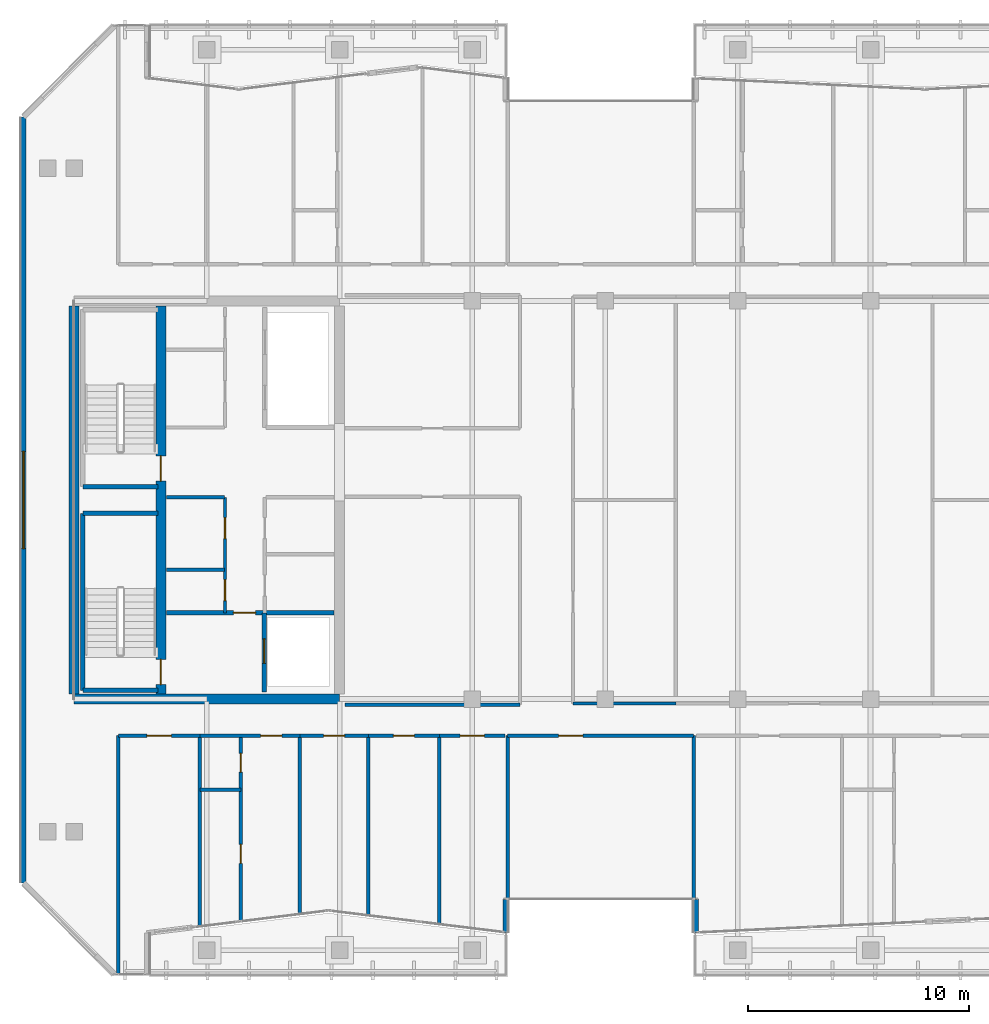
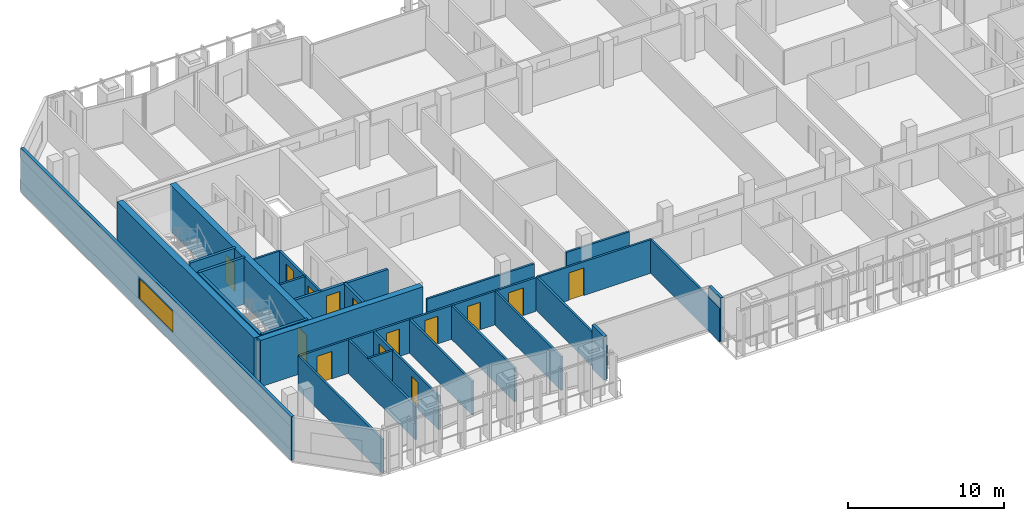
# One storey, part 20 of 31: 32 walls, 14 doors, 1 window, 15 openings.
"""IFC4 building model written with IfcOpenShell, lengths in metres."""

from ifc_helpers import new_model, si_unit, direction, frame, frame_2d, origin, place, context, subcontext, project, spatial, rectangle, extrude, material, layer, layer_set, type_object, element, fill, save


model = new_model("IFC4")

# Units and contexts
model_context = context("Model", 3, precision=1e-05, world=origin(), true_north=direction((0.0, 1.0)))
body_context = subcontext(model_context, "Body", "Model", "MODEL_VIEW")
ifc_project = project(units=[si_unit("LENGTHUNIT", "METRE"), si_unit("AREAUNIT", "SQUARE_METRE"), si_unit("VOLUMEUNIT", "CUBIC_METRE"), si_unit("PLANEANGLEUNIT", "RADIAN"), si_unit("MASSUNIT", "GRAM", prefix="KILO")], contexts=[model_context])

# Site, building, storey
site_placement = place(None, origin())
site = spatial("IfcSite", under=ifc_project, at=site_placement, CompositionType="ELEMENT")
building_placement = place(site_placement, origin())
building = spatial("IfcBuilding", under=site, at=building_placement, Name="Tanjung Sevakor Pilgrim Tower", CompositionType="ELEMENT")
storey_placement = place(building_placement, frame((0.0, 0.0, 208.22998046875)))
storey = spatial("IfcBuildingStorey", under=building, at=storey_placement, Name="L58", CompositionType="ELEMENT", Elevation=208.22998046875)

# Walls
ifc_material_1 = material(Name="Concrete C60/75", Category="concrete")
ifc_layer_1 = layer(ifc_material_1, 0.449951171875)
ifc_layer_set_1 = layer_set([ifc_layer_1], Name="WALL-CW-450")
wall_type_1 = type_object("IfcWallType", Name="WALL-CW-450", PredefinedType="SHEAR", material=ifc_layer_set_1)
wall_1_placement = place(storey_placement, frame((24.0, 24.60009765625, 0.0), z_axis=(0.0, 0.0, 1.0), x_axis=(1.0, 0.0, 0.0)))
element("IfcWall", 1, at=wall_1_placement, inside=storey, type_object=wall_type_1, Name="L58 W Core South Shear Wall", PredefinedType="SHEAR", context=body_context, shape_type="SweptSolid", body=[
    extrude(rectangle(XDim=12.0, YDim=0.449951171875, at=frame_2d((6.0, 0.0))), origin(), (0.0, 0.0, 1.0), 3.630126953125),
])
wall_2_placement = place(storey_placement, frame((24.0, 24.824951171875, 0.0), z_axis=(0.0, 0.0, 1.0), x_axis=(0.0, 1.0, 0.0)))
element("IfcWall", 2, at=wall_2_placement, inside=storey, type_object=wall_type_1, Name="L58 W Core Outer Shear Wall", PredefinedType="SHEAR", context=body_context, shape_type="SweptSolid", body=[
    extrude(rectangle(XDim=17.550048828125, YDim=0.449951171875, at=frame_2d((8.77490234375, 0.0))), origin(), (0.0, 0.0, 1.0), 3.630126953125),
])

# Wall, openings, doors
wall_3_placement = place(storey_placement, frame((27.925048828125, 24.824951171875, 0.0), z_axis=(0.0, 0.0, 1.0), x_axis=(0.0, 1.0, 0.0)))
wall_3 = element("IfcWall", 3, at=wall_3_placement, inside=storey, type_object=wall_type_1, Name="L58 W Core Stair Spine Wall", PredefinedType="SHEAR", context=body_context, shape_type="SweptSolid", body=[
    extrude(rectangle(XDim=17.550048828125, YDim=0.449951171875, at=frame_2d((8.77490234375, 0.0))), origin(), (0.0, 0.0, 1.0), 3.630126953125),
])
opening_1_placement = place(wall_3_placement, frame((0.425048828125, 0.0, 0.0)))
opening_1 = element("IfcOpeningElement", 4, at=opening_1_placement, cuts=wall_3, Name="Opening ID-ST1", PredefinedType="OPENING", context=body_context, shape_type="SweptSolid", body=[
    extrude(rectangle(XDim=1.14990234375, YDim=2.14990234375, at=frame_2d((0.574951171875, 1.074951171875))), frame((0.0, 0.23486328125, 0.0), z_axis=(0.0, -1.0, 0.0), x_axis=(1.0, 0.0, 0.0)), (0.0, 0.0, 1.0), 0.469970703125),
])
opening_2_placement = place(wall_3_placement, frame((9.625, 0.0, 0.0)))
opening_2 = element("IfcOpeningElement", 5, at=opening_2_placement, cuts=wall_3, Name="Opening ID-ST1", PredefinedType="OPENING", context=body_context, shape_type="SweptSolid", body=[
    extrude(rectangle(XDim=1.14990234375, YDim=2.14990234375, at=frame_2d((0.574951171875, 1.074951171875))), frame((0.0, 0.23486328125, 0.0), z_axis=(0.0, -1.0, 0.0), x_axis=(1.0, 0.0, 0.0)), (0.0, 0.0, 1.0), 0.469970703125),
])
ifc_material_2 = material(Name="Fire-Rated Steel S355J2", Category="steel")
door_type_1 = type_object("IfcDoorType", Name="DT-FIRE-1150", OperationType="NOTDEFINED", PredefinedType="DOOR", material=ifc_material_2)
door_1_placement = place(opening_1_placement, origin())
door_1 = element("IfcDoor", 6, at=door_1_placement, inside=storey, type_object=door_type_1, Name="L58 TS-W1 Stair Fire Door", OperationType="SINGLE_SWING_LEFT", OverallHeight=2.14990234375, OverallWidth=1.14990234375, PredefinedType="DOOR", context=body_context, shape_type="SweptSolid", body=[
    extrude(rectangle(XDim=1.14990234375, YDim=2.14990234375, at=frame_2d((0.574951171875, 1.074951171875))), frame((0.0, 0.02490234375, 0.0), z_axis=(0.0, -1.0, 0.0), x_axis=(1.0, 0.0, 0.0)), (0.0, 0.0, 1.0), 0.050048828125),
])
fill(opening_1, door_1)
door_2_placement = place(opening_2_placement, origin())
door_2 = element("IfcDoor", 7, at=door_2_placement, inside=storey, type_object=door_type_1, Name="L58 TS-W2 Stair Fire Door", OperationType="SINGLE_SWING_RIGHT", OverallHeight=2.14990234375, OverallWidth=1.14990234375, PredefinedType="DOOR", context=body_context, shape_type="SweptSolid", body=[
    extrude(rectangle(XDim=1.14990234375, YDim=2.14990234375, at=frame_2d((0.574951171875, 1.074951171875))), frame((0.0, 0.02490234375, 0.0), z_axis=(0.0, -1.0, 0.0), x_axis=(1.0, 0.0, 0.0)), (0.0, 0.0, 1.0), 0.050048828125),
])
fill(opening_2, door_2)

# Walls
ifc_material_3 = material(Name="Concrete C40/50", Category="concrete")
ifc_layer_2 = layer(ifc_material_3, 0.14990234375)
ifc_layer_set_2 = layer_set([ifc_layer_2], Name="WT-COMP-150")
wall_type_2 = type_object("IfcWallType", Name="WT-COMP-150", PredefinedType="SOLIDWALL", material=ifc_layer_set_2)
for number, where, z_axis, x_axis, name in (
    (8, (28.169921875, 30.449951171875, 0.0), (0.0, 0.0, 1.0), (1.0, 0.0, 0.0), "L58 Partition IW-L58-003"),
    (9, (28.169921875, 33.719970703125, 0.0), (0.0, 0.0, 1.0), (1.0, 0.0, 0.0), "L58 Partition IW-L58-004"),
):
    element("IfcWall", number, at=place(storey_placement, frame(where, z_axis=z_axis, x_axis=x_axis)), inside=storey, type_object=wall_type_2, Name=name, PredefinedType="SOLIDWALL", context=body_context, shape_type="SweptSolid", body=[
        extrude(rectangle(XDim=2.630126953125, YDim=0.14990234375, at=frame_2d((1.31494140625, 0.0))), origin(), (0.0, 0.0, 1.0), 2.6298828125),
    ])

# Wall, openings, doors
wall_4_placement = place(storey_placement, frame((30.820068359375, 28.5, 0.0), z_axis=(0.0, 0.0, 1.0), x_axis=(0.0, 1.0, 0.0)))
wall_4 = element("IfcWall", 10, at=wall_4_placement, inside=storey, type_object=wall_type_2, Name="L58 Partition IW-L58-005", PredefinedType="SOLIDWALL", context=body_context, shape_type="SweptSolid", body=[
    extrude(rectangle(XDim=5.219970703125, YDim=0.14990234375, at=frame_2d((2.60986328125, 0.0))), origin(), (0.0, 0.0, 1.0), 2.6298828125),
])
opening_3_placement = place(wall_4_placement, frame((0.550048828125, 0.0, 0.0)))
opening_3 = element("IfcOpeningElement", 11, at=opening_3_placement, cuts=wall_4, Name="Opening ID-FD2", PredefinedType="OPENING", context=body_context, shape_type="SweptSolid", body=[
    extrude(rectangle(XDim=0.949951171875, YDim=2.14990234375, at=frame_2d((0.47509765625, 1.074951171875))), frame((0.0, 0.0849609375, 0.0), z_axis=(0.0, -1.0, 0.0), x_axis=(1.0, 0.0, 0.0)), (0.0, 0.0, 1.0), 0.169921875),
])
opening_4_placement = place(wall_4_placement, frame((3.35009765625, 0.0, 0.0)))
opening_4 = element("IfcOpeningElement", 12, at=opening_4_placement, cuts=wall_4, Name="Opening ID-FD2", PredefinedType="OPENING", context=body_context, shape_type="SweptSolid", body=[
    extrude(rectangle(XDim=0.949951171875, YDim=2.14990234375, at=frame_2d((0.47509765625, 1.074951171875))), frame((0.0, 0.0849609375, 0.0), z_axis=(0.0, -1.0, 0.0), x_axis=(1.0, 0.0, 0.0)), (0.0, 0.0, 1.0), 0.169921875),
])
ifc_material_4 = material(Name="Fire-Rated Timber", Category="wood")
door_type_2 = type_object("IfcDoorType", Name="DT-FIRE-950", OperationType="NOTDEFINED", PredefinedType="DOOR", material=ifc_material_4)
door_3_placement = place(opening_3_placement, origin())
door_3 = element("IfcDoor", 13, at=door_3_placement, inside=storey, type_object=door_type_2, Name="L58 Cleaner Store Door", OperationType="SINGLE_SWING_RIGHT", OverallHeight=2.14990234375, OverallWidth=0.949951171875, PredefinedType="DOOR", context=body_context, shape_type="SweptSolid", body=[
    extrude(rectangle(XDim=0.949951171875, YDim=2.14990234375, at=frame_2d((0.47509765625, 1.074951171875))), frame((0.0, 0.02490234375, 0.0), z_axis=(0.0, -1.0, 0.0), x_axis=(1.0, 0.0, 0.0)), (0.0, 0.0, 1.0), 0.050048828125),
])
fill(opening_3, door_3)
door_4_placement = place(opening_4_placement, origin())
door_4 = element("IfcDoor", 14, at=door_4_placement, inside=storey, type_object=door_type_2, Name="L58 Housekeeping Pantry Door", OperationType="SINGLE_SWING_LEFT", OverallHeight=2.14990234375, OverallWidth=0.949951171875, PredefinedType="DOOR", context=body_context, shape_type="SweptSolid", body=[
    extrude(rectangle(XDim=0.949951171875, YDim=2.14990234375, at=frame_2d((0.47509765625, 1.074951171875))), frame((0.0, 0.02490234375, 0.0), z_axis=(0.0, -1.0, 0.0), x_axis=(1.0, 0.0, 0.0)), (0.0, 0.0, 1.0), 0.050048828125),
])
fill(opening_4, door_4)

# Walls
wall_5_placement = place(storey_placement, frame((36.2451171875, 24.35009765625, 0.0), z_axis=(0.0, 0.0, 1.0), x_axis=(1.0, 0.0, 0.0)))
element("IfcWall", 15, at=wall_5_placement, inside=storey, type_object=wall_type_2, Name="L58 Partition IW-L58-027", PredefinedType="SOLIDWALL", context=body_context, shape_type="SweptSolid", body=[
    extrude(rectangle(XDim=7.90478515625, YDim=0.14990234375, at=frame_2d((3.952392578125, 0.0))), origin(), (0.0, 0.0, 1.0), 2.6298828125),
])
wall_6_placement = place(storey_placement, frame((46.550048828125, 24.39990234375, 0.0), z_axis=(0.0, 0.0, 1.0), x_axis=(1.0, 0.0, 0.0)))
element("IfcWall", 16, at=wall_6_placement, inside=storey, type_object=wall_type_2, Name="L58 Partition IW-L58-039", PredefinedType="SOLIDWALL", context=body_context, shape_type="SweptSolid", body=[
    extrude(rectangle(XDim=4.64990234375, YDim=0.14990234375, at=frame_2d((2.324951171875, 0.0))), origin(), (0.0, 0.0, 1.0), 2.6298828125),
])

# Wall, opening, door
wall_7_placement = place(storey_placement, frame((43.60009765625, 22.949951171875, 0.0), z_axis=(0.0, 0.0, 1.0), x_axis=(1.0, 0.0, 0.0)))
wall_7 = element("IfcWall", 17, at=wall_7_placement, inside=storey, type_object=wall_type_2, Name="L58 Partition IW-L58-053", PredefinedType="SOLIDWALL", context=body_context, shape_type="SweptSolid", body=[
    extrude(rectangle(XDim=8.39990234375, YDim=0.14990234375, at=frame_2d((4.199951171875, 0.0))), origin(), (0.0, 0.0, 1.0), 2.6298828125),
])
opening_5_placement = place(wall_7_placement, frame((2.300048828125, 0.0, 0.0)))
opening_5 = element("IfcOpeningElement", 18, at=opening_5_placement, cuts=wall_7, Name="Opening ID-RM2", PredefinedType="OPENING", context=body_context, shape_type="SweptSolid", body=[
    extrude(rectangle(XDim=1.10009765625, YDim=2.14990234375, at=frame_2d((0.550048828125, 1.074951171875))), frame((0.0, 0.0849609375, 0.0), z_axis=(0.0, -1.0, 0.0), x_axis=(1.0, 0.0, 0.0)), (0.0, 0.0, 1.0), 0.169921875),
])
ifc_material_5 = material(Name="Hardwood Timber", Category="wood")
door_type_3 = type_object("IfcDoorType", Name="DT-INT-1100", OperationType="NOTDEFINED", PredefinedType="DOOR", material=ifc_material_5)
door_5_placement = place(opening_5_placement, origin())
door_5 = element("IfcDoor", 19, at=door_5_placement, inside=storey, type_object=door_type_3, Name="L58 South Cleft Tea Sanctuary Door", OperationType="SINGLE_SWING_LEFT", OverallHeight=2.14990234375, OverallWidth=1.10009765625, PredefinedType="DOOR", context=body_context, shape_type="SweptSolid", body=[
    extrude(rectangle(XDim=1.10009765625, YDim=2.14990234375, at=frame_2d((0.550048828125, 1.074951171875))), frame((0.0, 0.02490234375, 0.0), z_axis=(0.0, -1.0, 0.0), x_axis=(1.0, 0.0, 0.0)), (0.0, 0.0, 1.0), 0.050048828125),
])
fill(opening_5, door_5)

# Walls
wall_8_placement = place(storey_placement, frame((43.60009765625, 14.0556640625, 0.0), z_axis=(0.0, 0.0, 1.0), x_axis=(0.0, 1.0, 0.0)))
element("IfcWall", 20, at=wall_8_placement, inside=storey, type_object=wall_type_2, Name="L58 Partition IW-L58-054", PredefinedType="SOLIDWALL", context=body_context, shape_type="SweptSolid", body=[
    extrude(rectangle(XDim=8.894287109375, YDim=0.14990234375, at=frame_2d((4.447265625, 0.0))), origin(), (0.0, 0.0, 1.0), 2.6298828125),
])
wall_9_placement = place(storey_placement, frame((52.0, 14.0458984375, 0.0), z_axis=(0.0, 0.0, 1.0), x_axis=(0.0, 1.0, 0.0)))
element("IfcWall", 21, at=wall_9_placement, inside=storey, type_object=wall_type_2, Name="L58 Partition IW-L58-055", PredefinedType="SOLIDWALL", context=body_context, shape_type="SweptSolid", body=[
    extrude(rectangle(XDim=8.904052734375, YDim=0.14990234375, at=frame_2d((4.4521484375, 0.0))), origin(), (0.0, 0.0, 1.0), 2.6298828125),
])
wall_10_placement = place(storey_placement, frame((26.0, 12.159912109375, 0.0), z_axis=(0.0, 0.0, 1.0), x_axis=(0.0, 1.0, 0.0)))
element("IfcWall", 22, at=wall_10_placement, inside=storey, type_object=wall_type_2, Name="L58 Partition IW-L58-059", PredefinedType="SOLIDWALL", context=body_context, shape_type="SweptSolid", body=[
    extrude(rectangle(XDim=10.7900390625, YDim=0.14990234375, at=frame_2d((5.39501953125, 0.0))), origin(), (0.0, 0.0, 1.0), 2.6298828125),
])
wall_11_placement = place(storey_placement, frame((29.686279296875, 14.322998046875, 0.0), z_axis=(0.0, 0.0, 1.0), x_axis=(0.0, 1.0, 0.0)))
element("IfcWall", 23, at=wall_11_placement, inside=storey, type_object=wall_type_2, Name="L58 Partition IW-L58-060", PredefinedType="SOLIDWALL", context=body_context, shape_type="SweptSolid", body=[
    extrude(rectangle(XDim=8.626953125, YDim=0.14990234375, at=frame_2d((4.3134765625, 0.0))), origin(), (0.0, 0.0, 1.0), 2.6298828125),
])

# Wall, opening, door
wall_12_placement = place(storey_placement, frame((26.0, 22.949951171875, 0.0), z_axis=(0.0, 0.0, 1.0), x_axis=(1.0, 0.0, 0.0)))
wall_12 = element("IfcWall", 24, at=wall_12_placement, inside=storey, type_object=wall_type_2, Name="L58 Partition IW-L58-061", PredefinedType="SOLIDWALL", context=body_context, shape_type="SweptSolid", body=[
    extrude(rectangle(XDim=3.686279296875, YDim=0.14990234375, at=frame_2d((1.84326171875, 0.0))), origin(), (0.0, 0.0, 1.0), 2.6298828125),
])
opening_6_placement = place(wall_12_placement, frame((1.293212890625, 0.0, 0.0)))
opening_6 = element("IfcOpeningElement", 25, at=opening_6_placement, cuts=wall_12, Name="Opening ID-FD0", PredefinedType="OPENING", context=body_context, shape_type="SweptSolid", body=[
    extrude(rectangle(XDim=1.10009765625, YDim=2.14990234375, at=frame_2d((0.550048828125, 1.074951171875))), frame((0.0, 0.0849609375, 0.0), z_axis=(0.0, -1.0, 0.0), x_axis=(1.0, 0.0, 0.0)), (0.0, 0.0, 1.0), 0.169921875),
])
ifc_material_6 = material(Name="Fire-Rated Steel S355J2", Category="steel")
door_type_4 = type_object("IfcDoorType", Name="DT-FIRE-1100", OperationType="NOTDEFINED", PredefinedType="DOOR", material=ifc_material_6)
door_6_placement = place(opening_6_placement, origin())
door_6 = element("IfcDoor", 26, at=door_6_placement, inside=storey, type_object=door_type_4, Name="Communal Lounge Door", OperationType="SINGLE_SWING_LEFT", OverallHeight=2.14990234375, OverallWidth=1.10009765625, PredefinedType="DOOR", context=body_context, shape_type="SweptSolid", body=[
    extrude(rectangle(XDim=1.10009765625, YDim=2.14990234375, at=frame_2d((0.550048828125, 1.074951171875))), frame((0.0, 0.02490234375, 0.0), z_axis=(0.0, -1.0, 0.0), x_axis=(1.0, 0.0, 0.0)), (0.0, 0.0, 1.0), 0.050048828125),
])
fill(opening_6, door_6)

# Wall
wall_13_placement = place(storey_placement, frame((34.204833984375, 14.880859375, 0.0), z_axis=(0.0, 0.0, 1.0), x_axis=(0.0, 1.0, 0.0)))
element("IfcWall", 27, at=wall_13_placement, inside=storey, type_object=wall_type_2, Name="L58 Partition IW-L58-062", PredefinedType="SOLIDWALL", context=body_context, shape_type="SweptSolid", body=[
    extrude(rectangle(XDim=8.069091796875, YDim=0.14990234375, at=frame_2d((4.03466796875, 0.0))), origin(), (0.0, 0.0, 1.0), 2.6298828125),
])

# Wall, opening, door
wall_14_placement = place(storey_placement, frame((29.686279296875, 22.949951171875, 0.0), z_axis=(0.0, 0.0, 1.0), x_axis=(1.0, 0.0, 0.0)))
wall_14 = element("IfcWall", 28, at=wall_14_placement, inside=storey, type_object=wall_type_2, Name="L58 Partition IW-L58-065", PredefinedType="SOLIDWALL", context=body_context, shape_type="SweptSolid", body=[
    extrude(rectangle(XDim=4.5185546875, YDim=0.14990234375, at=frame_2d((2.25927734375, 0.0))), origin(), (0.0, 0.0, 1.0), 2.6298828125),
])
opening_7_placement = place(wall_14_placement, frame((2.749267578125, 0.0, 0.0)))
opening_7 = element("IfcOpeningElement", 29, at=opening_7_placement, cuts=wall_14, Name="Opening ID-FD2", PredefinedType="OPENING", context=body_context, shape_type="SweptSolid", body=[
    extrude(rectangle(XDim=0.949951171875, YDim=2.14990234375, at=frame_2d((0.47509765625, 1.074951171875))), frame((0.0, 0.0849609375, 0.0), z_axis=(0.0, -1.0, 0.0), x_axis=(1.0, 0.0, 0.0)), (0.0, 0.0, 1.0), 0.169921875),
])
door_7_placement = place(opening_7_placement, origin())
door_7 = element("IfcDoor", 30, at=door_7_placement, inside=storey, type_object=door_type_2, Name="Hostel Quad Entrance", OperationType="SINGLE_SWING_RIGHT", OverallHeight=2.14990234375, OverallWidth=0.949951171875, PredefinedType="DOOR", context=body_context, shape_type="SweptSolid", body=[
    extrude(rectangle(XDim=0.949951171875, YDim=2.14990234375, at=frame_2d((0.47509765625, 1.074951171875))), frame((0.0, 0.02490234375, 0.0), z_axis=(0.0, -1.0, 0.0), x_axis=(1.0, 0.0, 0.0)), (0.0, 0.0, 1.0), 0.050048828125),
])
fill(opening_7, door_7)

# Wall
wall_15_placement = place(storey_placement, frame((37.296630859375, 14.819091796875, 0.0), z_axis=(0.0, 0.0, 1.0), x_axis=(0.0, 1.0, 0.0)))
element("IfcWall", 31, at=wall_15_placement, inside=storey, type_object=wall_type_2, Name="L58 Partition IW-L58-066", PredefinedType="SOLIDWALL", context=body_context, shape_type="SweptSolid", body=[
    extrude(rectangle(XDim=8.130859375, YDim=0.14990234375, at=frame_2d((4.0654296875, 0.0))), origin(), (0.0, 0.0, 1.0), 2.6298828125),
])

# Wall, opening, door
wall_16_placement = place(storey_placement, frame((34.204833984375, 22.949951171875, 0.0), z_axis=(0.0, 0.0, 1.0), x_axis=(1.0, 0.0, 0.0)))
wall_16 = element("IfcWall", 32, at=wall_16_placement, inside=storey, type_object=wall_type_2, Name="L58 Partition IW-L58-067", PredefinedType="SOLIDWALL", context=body_context, shape_type="SweptSolid", body=[
    extrude(rectangle(XDim=3.091796875, YDim=0.14990234375, at=frame_2d((1.5458984375, 0.0))), origin(), (0.0, 0.0, 1.0), 2.6298828125),
])
opening_8_placement = place(wall_16_placement, frame((1.07080078125, 0.0, 0.0)))
opening_8 = element("IfcOpeningElement", 33, at=opening_8_placement, cuts=wall_16, Name="Opening ID-FD2", PredefinedType="OPENING", context=body_context, shape_type="SweptSolid", body=[
    extrude(rectangle(XDim=0.949951171875, YDim=2.14990234375, at=frame_2d((0.47509765625, 1.074951171875))), frame((0.0, 0.0849609375, 0.0), z_axis=(0.0, -1.0, 0.0), x_axis=(1.0, 0.0, 0.0)), (0.0, 0.0, 1.0), 0.169921875),
])
door_8_placement = place(opening_8_placement, origin())
door_8 = element("IfcDoor", 34, at=door_8_placement, inside=storey, type_object=door_type_2, Name="Study Room Entrance", OperationType="SINGLE_SWING_LEFT", OverallHeight=2.14990234375, OverallWidth=0.949951171875, PredefinedType="DOOR", context=body_context, shape_type="SweptSolid", body=[
    extrude(rectangle(XDim=0.949951171875, YDim=2.14990234375, at=frame_2d((0.47509765625, 1.074951171875))), frame((0.0, 0.02490234375, 0.0), z_axis=(0.0, -1.0, 0.0), x_axis=(1.0, 0.0, 0.0)), (0.0, 0.0, 1.0), 0.050048828125),
])
fill(opening_8, door_8)

# Wall
wall_17_placement = place(storey_placement, frame((40.507080078125, 14.422607421875, 0.0), z_axis=(0.0, 0.0, 1.0), x_axis=(0.0, 1.0, 0.0)))
element("IfcWall", 35, at=wall_17_placement, inside=storey, type_object=wall_type_2, Name="L58 Partition IW-L58-068", PredefinedType="SOLIDWALL", context=body_context, shape_type="SweptSolid", body=[
    extrude(rectangle(XDim=8.52734375, YDim=0.14990234375, at=frame_2d((4.263671875, 0.0))), origin(), (0.0, 0.0, 1.0), 2.6298828125),
])

# Wall, opening, door
wall_18_placement = place(storey_placement, frame((37.296630859375, 22.949951171875, 0.0), z_axis=(0.0, 0.0, 1.0), x_axis=(1.0, 0.0, 0.0)))
wall_18 = element("IfcWall", 36, at=wall_18_placement, inside=storey, type_object=wall_type_2, Name="L58 Partition IW-L58-069", PredefinedType="SOLIDWALL", context=body_context, shape_type="SweptSolid", body=[
    extrude(rectangle(XDim=3.21044921875, YDim=0.14990234375, at=frame_2d((1.605224609375, 0.0))), origin(), (0.0, 0.0, 1.0), 2.6298828125),
])
opening_9_placement = place(wall_18_placement, frame((1.13037109375, 0.0, 0.0)))
opening_9 = element("IfcOpeningElement", 37, at=opening_9_placement, cuts=wall_18, Name="Opening ID-FD2", PredefinedType="OPENING", context=body_context, shape_type="SweptSolid", body=[
    extrude(rectangle(XDim=0.949951171875, YDim=2.14990234375, at=frame_2d((0.47509765625, 1.074951171875))), frame((0.0, 0.0849609375, 0.0), z_axis=(0.0, -1.0, 0.0), x_axis=(1.0, 0.0, 0.0)), (0.0, 0.0, 1.0), 0.169921875),
])
door_9_placement = place(opening_9_placement, origin())
door_9 = element("IfcDoor", 38, at=door_9_placement, inside=storey, type_object=door_type_2, Name="Study Room Entrance", OperationType="SINGLE_SWING_RIGHT", OverallHeight=2.14990234375, OverallWidth=0.949951171875, PredefinedType="DOOR", context=body_context, shape_type="SweptSolid", body=[
    extrude(rectangle(XDim=0.949951171875, YDim=2.14990234375, at=frame_2d((0.47509765625, 1.074951171875))), frame((0.0, 0.02490234375, 0.0), z_axis=(0.0, -1.0, 0.0), x_axis=(1.0, 0.0, 0.0)), (0.0, 0.0, 1.0), 0.050048828125),
])
fill(opening_9, door_9)

wall_19_placement = place(storey_placement, frame((40.507080078125, 22.949951171875, 0.0), z_axis=(0.0, 0.0, 1.0), x_axis=(1.0, 0.0, 0.0)))
wall_19 = element("IfcWall", 39, at=wall_19_placement, inside=storey, type_object=wall_type_2, Name="L58 Partition IW-L58-070", PredefinedType="SOLIDWALL", context=body_context, shape_type="SweptSolid", body=[
    extrude(rectangle(XDim=2.972900390625, YDim=0.14990234375, at=frame_2d((1.486328125, 0.0))), origin(), (0.0, 0.0, 1.0), 2.6298828125),
])
opening_10_placement = place(wall_19_placement, frame((0.936279296875, 0.0, 0.0)))
opening_10 = element("IfcOpeningElement", 40, at=opening_10_placement, cuts=wall_19, Name="Opening ID-FD0", PredefinedType="OPENING", context=body_context, shape_type="SweptSolid", body=[
    extrude(rectangle(XDim=1.10009765625, YDim=2.14990234375, at=frame_2d((0.550048828125, 1.074951171875))), frame((0.0, 0.0849609375, 0.0), z_axis=(0.0, -1.0, 0.0), x_axis=(1.0, 0.0, 0.0)), (0.0, 0.0, 1.0), 0.169921875),
])
door_10_placement = place(opening_10_placement, origin())
door_10 = element("IfcDoor", 41, at=door_10_placement, inside=storey, type_object=door_type_4, Name="Communal Lounge Door", OperationType="SINGLE_SWING_LEFT", OverallHeight=2.14990234375, OverallWidth=1.10009765625, PredefinedType="DOOR", context=body_context, shape_type="SweptSolid", body=[
    extrude(rectangle(XDim=1.10009765625, YDim=2.14990234375, at=frame_2d((0.550048828125, 1.074951171875))), frame((0.0, 0.02490234375, 0.0), z_axis=(0.0, -1.0, 0.0), x_axis=(1.0, 0.0, 0.0)), (0.0, 0.0, 1.0), 0.050048828125),
])
fill(opening_10, door_10)

# Walls
ifc_material_7 = material(Name="Precast concrete C45/55", Category="concrete")
ifc_layer_3 = layer(ifc_material_7, 0.219970703125)
ifc_layer_set_3 = layer_set([ifc_layer_3], Name="WT-EW-STN4")
wall_type_3 = type_object("IfcWallType", Name="WT-EW-STN4", PredefinedType="SOLIDWALL", material=ifc_layer_set_3)
wall_20_placement = place(storey_placement, frame((43.489990234375, 14.054443359375, 0.0), z_axis=(0.0, 0.0, 1.0), x_axis=(0.0, 1.0, 0.0)))
element("IfcWall", 42, at=wall_20_placement, inside=storey, type_object=wall_type_3, Name="L58 MAIN Exterior Wall 7", PredefinedType="SOLIDWALL", context=body_context, shape_type="SweptSolid", body=[
    extrude(rectangle(XDim=1.505615234375, YDim=0.219970703125, at=frame_2d((0.7529296875, 0.0))), origin(), (0.0, 0.0, 1.0), 3.409912109375),
])
wall_21_placement = place(storey_placement, frame((52.110107421875, 15.56005859375, 0.0), z_axis=(0.0, 0.0, 1.0), x_axis=(0.0, -1.0, 0.0)))
element("IfcWall", 43, at=wall_21_placement, inside=storey, type_object=wall_type_3, Name="L58 MAIN Exterior Wall 9", PredefinedType="SOLIDWALL", context=body_context, shape_type="SweptSolid", body=[
    extrude(rectangle(XDim=1.5146484375, YDim=0.219970703125, at=frame_2d((0.75732421875, 0.0))), origin(), (0.0, 0.0, 1.0), 3.409912109375),
])

# Wall, opening, window
wall_22_placement = place(storey_placement, frame((21.7099609375, 50.904296875, 0.0), z_axis=(0.0, 0.0, 1.0), x_axis=(0.0, -1.0, 0.0)))
wall_22 = element("IfcWall", 44, at=wall_22_placement, inside=storey, type_object=wall_type_3, Name="L58 MAIN Exterior Wall 35", PredefinedType="SOLIDWALL", context=body_context, shape_type="SweptSolid", body=[
    extrude(rectangle(XDim=34.608642578125, YDim=0.219970703125, at=frame_2d((17.30419921875, 0.0))), origin(), (0.0, 0.0, 1.0), 3.409912109375),
])
opening_11_placement = place(wall_22_placement, frame((15.1044921875, 0.0, 0.780029296875)))
opening_11 = element("IfcOpeningElement", 45, at=opening_11_placement, cuts=wall_22, Name="Opening WN-ENDW-1660", PredefinedType="OPENING", context=body_context, shape_type="SweptSolid", body=[
    extrude(rectangle(XDim=4.39990234375, YDim=1.659912109375, at=frame_2d((2.199951171875, 0.830078125))), frame((0.0, 0.119873046875, 0.0), z_axis=(0.0, -1.0, 0.0), x_axis=(1.0, 0.0, 0.0)), (0.0, 0.0, 1.0), 0.239990234375),
])
ifc_material_8 = material(Name="Thermally Broken Aluminium and Low-E Glass", Category="aluminium")
window_type = type_object("IfcWindowType", Name="WTYP-WN-ENDW-1660", PartitioningType="DOUBLE_PANEL_VERTICAL", PredefinedType="WINDOW", material=ifc_material_8)
window_placement = place(opening_11_placement, origin())
window = element("IfcWindow", 46, at=window_placement, inside=storey, type_object=window_type, Name="L58 Facade Window 01", OverallHeight=1.659912109375, OverallWidth=4.39990234375, PartitioningType="SINGLE_PANEL", PredefinedType="WINDOW", context=body_context, shape_type="SweptSolid", body=[
    extrude(rectangle(XDim=4.39990234375, YDim=1.659912109375, at=frame_2d((2.199951171875, 0.830078125))), frame((0.0, 0.030029296875, 0.0), z_axis=(0.0, -1.0, 0.0), x_axis=(1.0, 0.0, 0.0)), (0.0, 0.0, 1.0), 0.06005859375),
])
fill(opening_11, window)

# Walls
ifc_material_9 = material(Name="Concrete C40/50", Category="concrete")
ifc_layer_4 = layer(ifc_material_9, 0.199951171875)
ifc_layer_set_4 = layer_set([ifc_layer_4], Name="WT-FIRE-200")
wall_type_4 = type_object("IfcWallType", Name="WT-FIRE-200", PredefinedType="SOLIDWALL", material=ifc_layer_set_4)
for number, where, z_axis, x_axis, name in (
    (47, (24.39990234375, 25.0, 0.0), (0.0, 0.0, 1.0), (1.0, 0.0, 0.0), "L58 TS-W1 Shaft Wall 1"),
    (48, (27.800048828125, 33.0, 0.0), (0.0, 0.0, 1.0), (-1.0, 0.0, 0.0), "L58 TS-W1 Shaft Wall 2"),
):
    element("IfcWall", number, at=place(storey_placement, frame(where, z_axis=z_axis, x_axis=x_axis)), inside=storey, type_object=wall_type_4, Name=name, PredefinedType="SOLIDWALL", context=body_context, shape_type="SweptSolid", body=[
        extrude(rectangle(XDim=3.400146484375, YDim=0.199951171875, at=frame_2d((1.7001953125, 0.0))), origin(), (0.0, 0.0, 1.0), 3.630126953125),
    ])
wall_23_placement = place(storey_placement, frame((24.39990234375, 33.0, 0.0), z_axis=(0.0, 0.0, 1.0), x_axis=(0.0, -1.0, 0.0)))
element("IfcWall", 49, at=wall_23_placement, inside=storey, type_object=wall_type_4, Name="L58 TS-W1 Shaft Wall 3", PredefinedType="SOLIDWALL", context=body_context, shape_type="SweptSolid", body=[
    extrude(rectangle(XDim=8.0, YDim=0.199951171875, at=frame_2d((4.0, 0.0))), origin(), (0.0, 0.0, 1.0), 3.630126953125),
])
wall_24_placement = place(storey_placement, frame((24.39990234375, 34.199951171875, 0.0), z_axis=(0.0, 0.0, 1.0), x_axis=(1.0, 0.0, 0.0)))
element("IfcWall", 50, at=wall_24_placement, inside=storey, type_object=wall_type_4, Name="L58 TS-W2 Shaft Wall 1", PredefinedType="SOLIDWALL", context=body_context, shape_type="SweptSolid", body=[
    extrude(rectangle(XDim=3.400146484375, YDim=0.199951171875, at=frame_2d((1.7001953125, 0.0))), origin(), (0.0, 0.0, 1.0), 3.630126953125),
])

# Wall, opening, door
ifc_material_10 = material(Name="Concrete C40/50", Category="concrete")
ifc_layer_5 = layer(ifc_material_10, 0.199951171875)
ifc_layer_set_5 = layer_set([ifc_layer_5], Name="WT-FPRT-200")
wall_type_5 = type_object("IfcWallType", Name="WT-FPRT-200", PredefinedType="SOLIDWALL", material=ifc_layer_set_5)
wall_25_placement = place(storey_placement, frame((32.60009765625, 24.919921875, 0.0), z_axis=(0.0, 0.0, 1.0), x_axis=(0.0, 1.0, 0.0)))
wall_25 = element("IfcWall", 51, at=wall_25_placement, inside=storey, type_object=wall_type_5, Name="L58 Partition IW-L58-001", PredefinedType="SOLIDWALL", context=body_context, shape_type="SweptSolid", body=[
    extrude(rectangle(XDim=3.580078125, YDim=0.199951171875, at=frame_2d((1.7900390625, 0.0))), origin(), (0.0, 0.0, 1.0), 2.6298828125),
])
opening_12_placement = place(wall_25_placement, frame((1.300048828125, 0.0, 0.0)))
opening_12 = element("IfcOpeningElement", 52, at=opening_12_placement, cuts=wall_25, Name="Opening LD-1100", PredefinedType="OPENING", context=body_context, shape_type="SweptSolid", body=[
    extrude(rectangle(XDim=1.10009765625, YDim=2.199951171875, at=frame_2d((0.550048828125, 1.10009765625))), frame((0.0, 0.10986328125, 0.0), z_axis=(0.0, -1.0, 0.0), x_axis=(1.0, 0.0, 0.0)), (0.0, 0.0, 1.0), 0.219970703125),
])
ifc_material_11 = material(Name="Brushed Stainless Steel S355J2", Category="steel")
door_type_5 = type_object("IfcDoorType", Name="DT-LIFT-1100", OperationType="SLIDING_TO_LEFT", PredefinedType="DOOR", material=ifc_material_11)
door_11_placement = place(opening_12_placement, origin())
door_11 = element("IfcDoor", 53, at=door_11_placement, inside=storey, type_object=door_type_5, Name="LD-FL-W", OperationType="SLIDING_TO_LEFT", OverallHeight=2.199951171875, OverallWidth=1.10009765625, PredefinedType="DOOR", context=body_context, shape_type="SweptSolid", body=[
    extrude(rectangle(XDim=1.10009765625, YDim=2.199951171875, at=frame_2d((0.550048828125, 1.10009765625))), frame((0.0, 0.02490234375, 0.0), z_axis=(0.0, -1.0, 0.0), x_axis=(1.0, 0.0, 0.0)), (0.0, 0.0, 1.0), 0.050048828125),
])
fill(opening_12, door_11)

wall_26_placement = place(storey_placement, frame((28.169921875, 28.5, 0.0), z_axis=(0.0, 0.0, 1.0), x_axis=(1.0, 0.0, 0.0)))
wall_26 = element("IfcWall", 54, at=wall_26_placement, inside=storey, type_object=wall_type_5, Name="L58 Partition IW-L58-002", PredefinedType="SOLIDWALL", context=body_context, shape_type="SweptSolid", body=[
    extrude(rectangle(XDim=7.5849609375, YDim=0.199951171875, at=frame_2d((3.79248046875, 0.0))), origin(), (0.0, 0.0, 1.0), 2.6298828125),
])
opening_13_placement = place(wall_26_placement, frame((3.030029296875, 0.0, 0.0)))
opening_13 = element("IfcOpeningElement", 55, at=opening_13_placement, cuts=wall_26, Name="Opening ID-FD1", PredefinedType="OPENING", context=body_context, shape_type="SweptSolid", body=[
    extrude(rectangle(XDim=1.0, YDim=2.14990234375, at=frame_2d((0.5, 1.074951171875))), frame((0.0, 0.10986328125, 0.0), z_axis=(0.0, -1.0, 0.0), x_axis=(1.0, 0.0, 0.0)), (0.0, 0.0, 1.0), 0.219970703125),
])
ifc_material_12 = material(Name="Fire-Rated Steel S355J2", Category="steel")
door_type_6 = type_object("IfcDoorType", Name="DT-FIRE-1000", OperationType="NOTDEFINED", PredefinedType="DOOR", material=ifc_material_12)
door_12_placement = place(opening_13_placement, origin())
door_12 = element("IfcDoor", 56, at=door_12_placement, inside=storey, type_object=door_type_6, Name="Fire Lobby Door W", OperationType="SINGLE_SWING_LEFT", OverallHeight=2.14990234375, OverallWidth=1.0, PredefinedType="DOOR", context=body_context, shape_type="SweptSolid", body=[
    extrude(rectangle(XDim=1.0, YDim=2.14990234375, at=frame_2d((0.5, 1.074951171875))), frame((0.0, 0.02490234375, 0.0), z_axis=(0.0, -1.0, 0.0), x_axis=(1.0, 0.0, 0.0)), (0.0, 0.0, 1.0), 0.050048828125),
])
fill(opening_13, door_12)

# Wall
ifc_material_13 = material(Name="Gypsum Board Partition", Category="gypsum board")
ifc_layer_6 = layer(ifc_material_13, 0.14990234375)
ifc_layer_set_6 = layer_set([ifc_layer_6], Name="WT-PART-150")
wall_type_6 = type_object("IfcWallType", Name="WT-PART-150", PredefinedType="PARTITIONING", material=ifc_layer_set_6)
wall_27_placement = place(storey_placement, frame((29.686279296875, 20.5, 0.0), z_axis=(0.0, 0.0, 1.0), x_axis=(1.0, 0.0, 0.0)))
element("IfcWall", 57, at=wall_27_placement, inside=storey, type_object=wall_type_6, Name="L58 Partition IW-L58-063", PredefinedType="PARTITIONING", context=body_context, shape_type="SweptSolid", body=[
    extrude(rectangle(XDim=1.85009765625, YDim=0.14990234375, at=frame_2d((0.925048828125, 0.0))), origin(), (0.0, 0.0, 1.0), 2.6298828125),
])

# Wall, openings, doors
wall_28_placement = place(storey_placement, frame((31.536376953125, 14.551513671875, 0.0), z_axis=(0.0, 0.0, 1.0), x_axis=(0.0, 1.0, 0.0)))
wall_28 = element("IfcWall", 58, at=wall_28_placement, inside=storey, type_object=wall_type_6, Name="L58 Partition IW-L58-064", PredefinedType="PARTITIONING", context=body_context, shape_type="SweptSolid", body=[
    extrude(rectangle(XDim=8.3984375, YDim=0.14990234375, at=frame_2d((4.19921875, 0.0))), origin(), (0.0, 0.0, 1.0), 2.6298828125),
])
opening_14_placement = place(wall_28_placement, frame((2.62841796875, 0.0, 0.0)))
opening_14 = element("IfcOpeningElement", 59, at=opening_14_placement, cuts=wall_28, Name="Opening ID-WC1", PredefinedType="OPENING", context=body_context, shape_type="SweptSolid", body=[
    extrude(rectangle(XDim=0.85009765625, YDim=2.10009765625, at=frame_2d((0.425048828125, 1.050048828125))), frame((0.0, 0.0849609375, 0.0), z_axis=(0.0, -1.0, 0.0), x_axis=(1.0, 0.0, 0.0)), (0.0, 0.0, 1.0), 0.169921875),
])
opening_15_placement = place(wall_28_placement, frame((6.74853515625, 0.0, 0.0)))
opening_15 = element("IfcOpeningElement", 60, at=opening_15_placement, cuts=wall_28, Name="Opening ID-WC1", PredefinedType="OPENING", context=body_context, shape_type="SweptSolid", body=[
    extrude(rectangle(XDim=0.85009765625, YDim=2.10009765625, at=frame_2d((0.425048828125, 1.050048828125))), frame((0.0, 0.0849609375, 0.0), z_axis=(0.0, -1.0, 0.0), x_axis=(1.0, 0.0, 0.0)), (0.0, 0.0, 1.0), 0.169921875),
])
ifc_material_14 = material(Name="Moisture-Resistant Timber", Category="wood")
door_type_7 = type_object("IfcDoorType", Name="DT-INT-850", OperationType="NOTDEFINED", PredefinedType="DOOR", material=ifc_material_14)
door_13_placement = place(opening_14_placement, origin())
door_13 = element("IfcDoor", 61, at=door_13_placement, inside=storey, type_object=door_type_7, Name="Study Nook Door", OperationType="SINGLE_SWING_RIGHT", OverallHeight=2.10009765625, OverallWidth=0.85009765625, PredefinedType="DOOR", context=body_context, shape_type="SweptSolid", body=[
    extrude(rectangle(XDim=0.85009765625, YDim=2.10009765625, at=frame_2d((0.425048828125, 1.050048828125))), frame((0.0, 0.02490234375, 0.0), z_axis=(0.0, -1.0, 0.0), x_axis=(1.0, 0.0, 0.0)), (0.0, 0.0, 1.0), 0.050048828125),
])
fill(opening_14, door_13)
door_14_placement = place(opening_15_placement, origin())
door_14 = element("IfcDoor", 62, at=door_14_placement, inside=storey, type_object=door_type_7, Name="Bathroom Door", OperationType="SINGLE_SWING_LEFT", OverallHeight=2.10009765625, OverallWidth=0.85009765625, PredefinedType="DOOR", context=body_context, shape_type="SweptSolid", body=[
    extrude(rectangle(XDim=0.85009765625, YDim=2.10009765625, at=frame_2d((0.425048828125, 1.050048828125))), frame((0.0, 0.02490234375, 0.0), z_axis=(0.0, -1.0, 0.0), x_axis=(1.0, 0.0, 0.0)), (0.0, 0.0, 1.0), 0.050048828125),
])
fill(opening_15, door_14)

save(model, "model.ifc")
